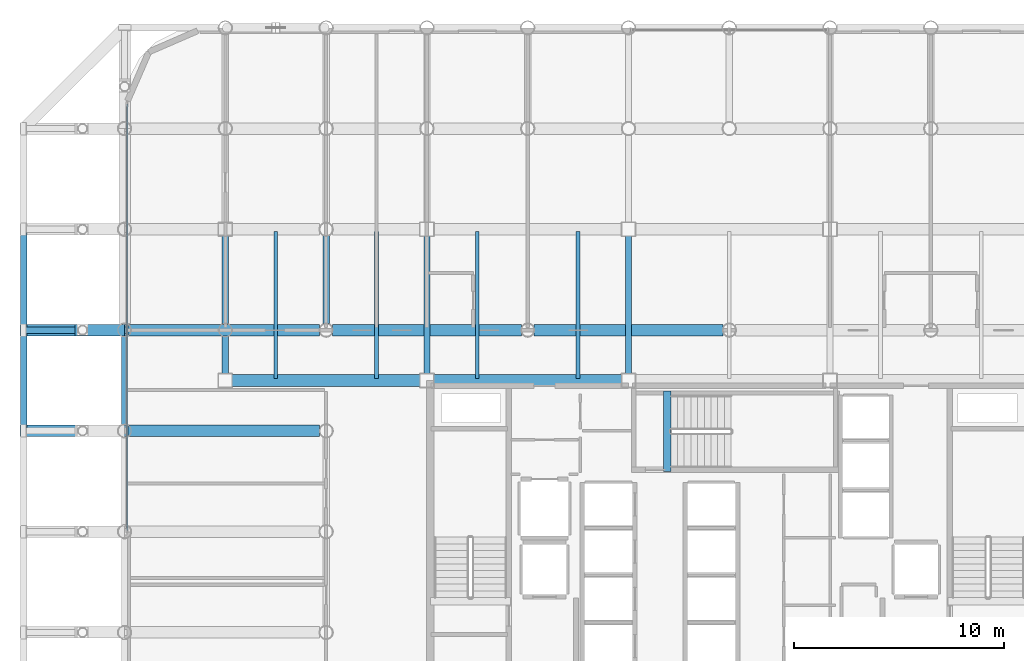
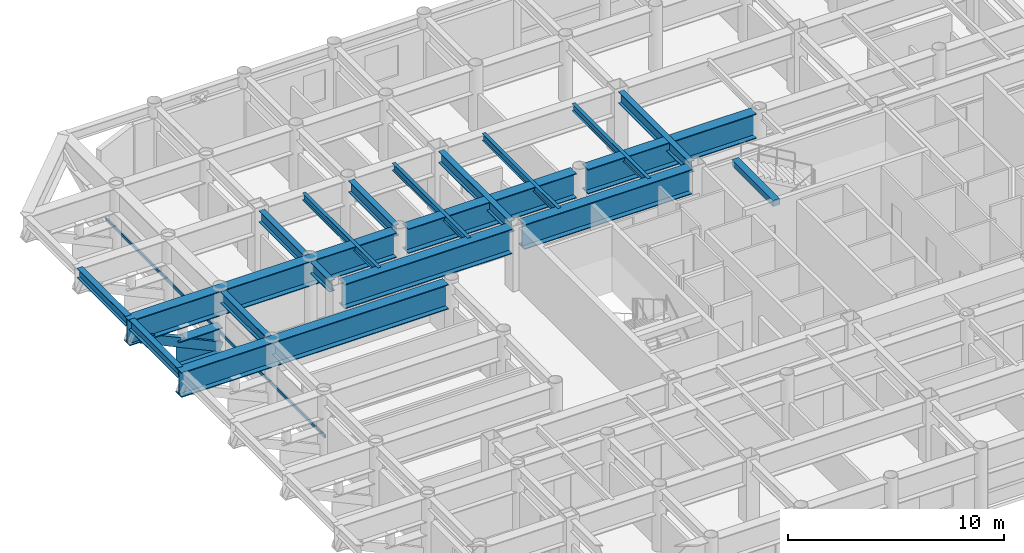
# One storey, part 6 of 23: 20 beams, 2 members, 1 element without a shape of its own.
"""IFC4 building model written with IfcOpenShell, lengths in metres."""

from ifc_helpers import new_model, si_unit, direction, frame, origin, origin_2d, place, context, subcontext, project, spatial, rectangle, hollow_rectangle, i_section, extrude, material, layer, layer_set, material_profile, profile_set, type_object, element, aggregate, save


model = new_model("IFC4")

# Units and contexts
model_context = context("Model", 3, precision=1e-05, world=origin(), true_north=direction((0.0, 1.0)))
body_context = subcontext(model_context, "Body", "Model", "MODEL_VIEW")
ifc_project = project(units=[si_unit("LENGTHUNIT", "METRE"), si_unit("AREAUNIT", "SQUARE_METRE"), si_unit("VOLUMEUNIT", "CUBIC_METRE"), si_unit("PLANEANGLEUNIT", "RADIAN"), si_unit("MASSUNIT", "GRAM", prefix="KILO")], contexts=[model_context])

# Site, building, storey
site_placement = place(None, origin())
site = spatial("IfcSite", under=ifc_project, at=site_placement, CompositionType="ELEMENT")
building_placement = place(site_placement, origin())
building = spatial("IfcBuilding", under=site, at=building_placement, Name="Kallvorn Hotel Tower", CompositionType="ELEMENT")
storey_placement = place(building_placement, frame((0.0, 0.0, 121.10009765625)))
storey = spatial("IfcBuildingStorey", under=building, at=storey_placement, Name="L29", CompositionType="ELEMENT", Elevation=121.10009765625)

# Beams
ifc_material_1 = material(Name="Structural steel S355JR", Category="steel")
ifc_material_profile_1 = material_profile(ifc_material_1, i_section(OverallWidth=0.300048828125, OverallDepth=0.550048828125, WebThickness=0.014892578125, FlangeThickness=0.029052734375, at=origin_2d()), Name="HE 550 B")
ifc_profile_set_1 = profile_set([ifc_material_profile_1], Name="Structural steel S355JR")
beam_type_1 = type_object("IfcBeamType", Name="BM_HE550B", PredefinedType="SPANDREL", material=ifc_profile_set_1)
for number, where, z_axis, x_axis, name in (
    (1, (-33.60009765625, 4.949951171875, 3.244873046875), (0.0, 1.0, 0.0), (-1.0, 0.0, 0.0), "L30 Perimeter Spandrel 187"),
    (2, (-33.60009765625, 9.75, 3.244873046875), (0.0, 1.0, 0.0), (-1.0, 0.0, 0.0), "L30 Perimeter Spandrel 188"),
):
    element("IfcBeam", number, at=place(storey_placement, frame(where, z_axis=z_axis, x_axis=x_axis)), inside=storey, type_object=beam_type_1, Name=name, PredefinedType="SPANDREL", context=body_context, shape_type="SweptSolid", body=[
        extrude(i_section(OverallWidth=0.300048828125, OverallDepth=0.550048828125, WebThickness=0.014892578125, FlangeThickness=0.029052734375, at=origin_2d()), origin(), (0.0, 0.0, 1.0), 4.5),
    ])
ifc_material_2 = material(Name="Structural steel S355JR", Category="steel")
ifc_material_profile_2 = material_profile(ifc_material_2, i_section(OverallWidth=0.300048828125, OverallDepth=0.64990234375, WebThickness=0.01611328125, FlangeThickness=0.031005859375, at=origin_2d()), Name="HE 650 B")
ifc_profile_set_2 = profile_set([ifc_material_profile_2], Name="Structural steel S355JR")
beam_type_2 = type_object("IfcBeamType", Name="BM_HE650B", PredefinedType="BEAM", material=ifc_profile_set_2)
beam_1_placement = place(storey_placement, frame((-28.800048828125, 5.10498046875, 3.19482421875), z_axis=(0.0, 1.0, 0.0), x_axis=(-1.0, 0.0, 0.0)))
element("IfcBeam", 3, at=beam_1_placement, inside=storey, type_object=beam_type_2, Name="L30 Primary Y-Girder 87", PredefinedType="BEAM", context=body_context, shape_type="SweptSolid", body=[
    extrude(i_section(OverallWidth=0.300048828125, OverallDepth=0.64990234375, WebThickness=0.01611328125, FlangeThickness=0.031005859375, at=origin_2d()), origin(), (0.0, 0.0, 1.0), 4.18994140625),
])
beam_2_placement = place(storey_placement, frame((-24.0, 7.52490234375, 3.19482421875), z_axis=(0.0, 1.0, 0.0), x_axis=(-1.0, 0.0, 0.0)))
element("IfcBeam", 4, at=beam_2_placement, inside=storey, type_object=beam_type_2, Name="L30 Primary Y-Girder 93", PredefinedType="BEAM", context=body_context, shape_type="SweptSolid", body=[
    extrude(i_section(OverallWidth=0.300048828125, OverallDepth=0.64990234375, WebThickness=0.01611328125, FlangeThickness=0.031005859375, at=origin_2d()), origin(), (0.0, 0.0, 1.0), 1.77001953125),
])
beam_3_placement = place(storey_placement, frame((-24.0, 9.905029296875, 3.19482421875), z_axis=(0.0, 1.0, 0.0), x_axis=(-1.0, 0.0, 0.0)))
element("IfcBeam", 5, at=beam_3_placement, inside=storey, type_object=beam_type_2, Name="L30 Primary Y-Girder 94", PredefinedType="BEAM", context=body_context, shape_type="SweptSolid", body=[
    extrude(i_section(OverallWidth=0.300048828125, OverallDepth=0.64990234375, WebThickness=0.01611328125, FlangeThickness=0.031005859375, at=origin_2d()), origin(), (0.0, 0.0, 1.0), 4.169921875),
])
beam_4_placement = place(storey_placement, frame((-19.199951171875, 9.905029296875, 3.19482421875), z_axis=(0.0, 1.0, 0.0), x_axis=(-1.0, 0.0, 0.0)))
element("IfcBeam", 6, at=beam_4_placement, inside=storey, type_object=beam_type_2, Name="L30 Primary Y-Girder 103", PredefinedType="BEAM", context=body_context, shape_type="SweptSolid", body=[
    extrude(i_section(OverallWidth=0.300048828125, OverallDepth=0.64990234375, WebThickness=0.01611328125, FlangeThickness=0.031005859375, at=origin_2d()), origin(), (0.0, 0.0, 1.0), 4.18994140625),
])
for number, where, z_axis, x_axis, name in (
    (7, (-14.39990234375, 7.52490234375, 3.19482421875), (0.0, 1.0, 0.0), (-1.0, 0.0, 0.0), "L30 Primary Y-Girder 108"),
    (8, (-4.800048828125, 7.52490234375, 3.19482421875), (0.0, 1.0, 0.0), (-1.0, 0.0, 0.0), "L30 Primary Y-Girder 116"),
):
    element("IfcBeam", number, at=place(storey_placement, frame(where, z_axis=z_axis, x_axis=x_axis)), inside=storey, type_object=beam_type_2, Name=name, PredefinedType="BEAM", context=body_context, shape_type="SweptSolid", body=[
        extrude(i_section(OverallWidth=0.300048828125, OverallDepth=0.64990234375, WebThickness=0.01611328125, FlangeThickness=0.031005859375, at=origin_2d()), origin(), (0.0, 0.0, 1.0), 6.550048828125),
    ])
ifc_material_3 = material(Name="Structural steel S355JR", Category="steel")
ifc_material_profile_3 = material_profile(ifc_material_3, i_section(OverallWidth=0.179931640625, OverallDepth=0.39990234375, WebThickness=0.008544921875, FlangeThickness=0.013427734375, at=origin_2d()), Name="IPE 400")
ifc_profile_set_3 = profile_set([ifc_material_profile_3], Name="Structural steel S355JR")
beam_type_3 = type_object("IfcBeamType", Name="BM_IPE400", PredefinedType="JOIST", material=ifc_profile_set_3)
for number, where, z_axis, x_axis, name in (
    (9, (-21.60009765625, 7.300048828125, 3.31982421875), (0.0, 1.0, 0.0), (-1.0, 0.0, 0.0), "L30 Secondary Composite Joist 202"),
    (10, (-16.800048828125, 7.300048828125, 3.31982421875), (0.0, 1.0, 0.0), (-1.0, 0.0, 0.0), "L30 Secondary Composite Joist 204"),
    (11, (-12.0, 7.300048828125, 3.31982421875), (0.0, 1.0, 0.0), (-1.0, 0.0, 0.0), "L30 Secondary Composite Joist 206"),
    (12, (-7.199951171875, 7.300048828125, 3.31982421875), (0.0, 1.0, 0.0), (-1.0, 0.0, 0.0), "L30 Secondary Composite Joist 208"),
):
    element("IfcBeam", number, at=place(storey_placement, frame(where, z_axis=z_axis, x_axis=x_axis)), inside=storey, type_object=beam_type_3, Name=name, PredefinedType="JOIST", context=body_context, shape_type="SweptSolid", body=[
        extrude(i_section(OverallWidth=0.179931640625, OverallDepth=0.39990234375, WebThickness=0.008544921875, FlangeThickness=0.013427734375, at=origin_2d()), origin(), (0.0, 0.0, 1.0), 7.0),
    ])
ifc_material_4 = material(Name="Structural steel S355JR", Category="steel")
ifc_material_profile_4 = material_profile(ifc_material_4, i_section(OverallWidth=0.550048828125, OverallDepth=1.39990234375, WebThickness=0.02490234375, FlangeThickness=0.044921875, at=origin_2d()), Name="PG 1400x550x25x45")
ifc_profile_set_4 = profile_set([ifc_material_profile_4], Name="Structural steel S355JR")
beam_type_4 = type_object("IfcBeamType", Name="BM_PG_1400", PredefinedType="BEAM", material=ifc_profile_set_4)
for number, where, z_axis, x_axis, name in (
    (13, (-19.52001953125, 4.800048828125, 2.81982421875), (-1.0, 0.0, 0.0), (0.0, -1.0, 0.0), "L30 Continuous Cantilever Transfer Girder 05"),
    (14, (-19.52001953125, 9.60009765625, 2.81982421875), (-1.0, 0.0, 0.0), (0.0, -1.0, 0.0), "L30 Continuous Cantilever Transfer Girder 06"),
):
    element("IfcBeam", number, at=place(storey_placement, frame(where, z_axis=z_axis, x_axis=x_axis)), inside=storey, type_object=beam_type_4, Name=name, PredefinedType="BEAM", context=body_context, shape_type="SweptSolid", body=[
        extrude(i_section(OverallWidth=0.550048828125, OverallDepth=1.39990234375, WebThickness=0.02490234375, FlangeThickness=0.044921875, at=origin_2d()), origin(), (0.0, 0.0, 1.0), 14.260009765625),
    ])
beam_5_placement = place(storey_placement, frame((-28.800048828125, 9.60009765625, 0.719970703125), z_axis=(-1.0, 0.0, 0.0), x_axis=(0.0, -1.0, 0.0)))
element("IfcBeam", 15, at=beam_5_placement, inside=storey, type_object=beam_type_4, Name="L30 Cantilever Haunch Corbel 06", PredefinedType="BEAM", context=body_context, shape_type="SweptSolid", body=[
    extrude(i_section(OverallWidth=0.550048828125, OverallDepth=1.39990234375, WebThickness=0.02490234375, FlangeThickness=0.044921875, at=origin_2d()), origin(), (0.0, 0.0, 1.0), 2.349853515625),
])
for number, where, z_axis, x_axis, name in (
    (16, (-23.675048828125, 7.199951171875, 2.81982421875), (1.0, 0.0, 0.0), (0.0, 1.0, 0.0), "L30 Primary X-Girder 45"),
    (17, (-14.074951171875, 7.199951171875, 2.81982421875), (1.0, 0.0, 0.0), (0.0, 1.0, 0.0), "L30 Primary X-Girder 46"),
):
    element("IfcBeam", number, at=place(storey_placement, frame(where, z_axis=z_axis, x_axis=x_axis)), inside=storey, type_object=beam_type_4, Name=name, PredefinedType="BEAM", context=body_context, shape_type="SweptSolid", body=[
        extrude(i_section(OverallWidth=0.550048828125, OverallDepth=1.39990234375, WebThickness=0.02490234375, FlangeThickness=0.044921875, at=origin_2d()), origin(), (0.0, 0.0, 1.0), 8.949951171875),
    ])
for number, where, z_axis, x_axis, name in (
    (18, (-18.89501953125, 9.60009765625, 2.81982421875), (1.0, 0.0, 0.0), (0.0, 1.0, 0.0), "L30 Primary X-Girder 52"),
    (19, (-9.294921875, 9.60009765625, 2.81982421875), (1.0, 0.0, 0.0), (0.0, 1.0, 0.0), "L30 Primary X-Girder 53"),
):
    element("IfcBeam", number, at=place(storey_placement, frame(where, z_axis=z_axis, x_axis=x_axis)), inside=storey, type_object=beam_type_4, Name=name, PredefinedType="BEAM", context=body_context, shape_type="SweptSolid", body=[
        extrude(i_section(OverallWidth=0.550048828125, OverallDepth=1.39990234375, WebThickness=0.02490234375, FlangeThickness=0.044921875, at=origin_2d()), origin(), (0.0, 0.0, 1.0), 8.989990234375),
    ])
ifc_material_5 = material(Name="Concrete C50/60", Category="concrete")
ifc_material_profile_5 = material_profile(ifc_material_5, rectangle(XDim=0.360107421875, YDim=0.340087890625, at=origin_2d()), Name="RC 360x340")
ifc_profile_set_5 = profile_set([ifc_material_profile_5], Name="Concrete C50/60")
beam_type_5 = type_object("IfcBeamType", Name="BM_RC_400x360", PredefinedType="BEAM", material=ifc_profile_set_5)
beam_6_placement = place(storey_placement, frame((-2.9599609375, 2.8701171875, 3.349853515625), z_axis=(0.0, 1.0, 0.0), x_axis=(-1.0, 0.0, 0.0)))
element("IfcBeam", 20, at=beam_6_placement, inside=storey, type_object=beam_type_5, Name="L30 Stair ST3 Arrival Trimmer Beam", PredefinedType="BEAM", context=body_context, shape_type="SweptSolid", body=[
    extrude(rectangle(XDim=0.360107421875, YDim=0.340087890625, at=origin_2d()), origin(), (0.0, 0.0, 1.0), 3.81982421875),
])

# Curtain wall, member
ifc_material_6 = material(Name="Thermally broken black-anodised aluminium AA 6063-T6", Category="aluminium")
ifc_layer = layer(ifc_material_6, 0.199951171875)
ifc_layer_set = layer_set([ifc_layer], Name="CW_SYS_3_HOTEL_LOW")
curtain_wall_type = type_object("IfcCurtainWallType", Name="CW_SYS_3_HOTEL_LOW", PredefinedType="USERDEFINED", material=ifc_layer_set)
curtain_wall_placement = place(storey_placement, origin())
curtain_wall = element("IfcCurtainWall", 21, at=curtain_wall_placement, inside=storey, type_object=curtain_wall_type, Name="L29 Dark-Glass Curtain Wall CW-L29-WN", ObjectType="UNITISED CURTAIN WALL", PredefinedType="USERDEFINED")
ifc_material_7 = material(Name="Thermally broken black-anodised aluminium AA 6063-T6", Category="aluminium")
ifc_material_profile_6 = material_profile(ifc_material_7, hollow_rectangle(XDim=0.070068359375, YDim=0.179931640625, WallThickness=0.00390625, at=origin_2d()), Name="TRN 180x70")
ifc_profile_set_6 = profile_set([ifc_material_profile_6], Name="Thermally broken black-anodised aluminium AA 6063-T6")
member_type_1 = type_object("IfcMemberType", Name="CW_TRANSOM_180x70", PredefinedType="USERDEFINED", material=ifc_profile_set_6)
member_1_placement = place(storey_placement, frame((-28.679931640625, 0.06005859375, 0.849853515625), z_axis=(0.0, 1.0, 0.0), x_axis=(-1.0, 0.0, 0.0)))
member_1 = element("IfcMember", 22, at=member_1_placement, type_object=member_type_1, Name="CW-L29-WN Transom 00M", ObjectType="TRANSOM", PredefinedType="USERDEFINED", context=body_context, shape_type="SweptSolid", body=[
    extrude(hollow_rectangle(XDim=0.070068359375, YDim=0.179931640625, WallThickness=0.00390625, at=origin_2d()), origin(), (0.0, 0.0, 1.0), 20.300048828125),
])
aggregate(curtain_wall, [member_1])

# Member
ifc_material_8 = material(Name="Structural steel S355J2H", Category="steel")
ifc_material_profile_7 = material_profile(ifc_material_8, hollow_rectangle(XDim=0.300048828125, YDim=0.5, WallThickness=0.02490234375, at=origin_2d()), Name="RHS 500x300x25")
ifc_profile_set_7 = profile_set([ifc_material_profile_7], Name="Structural steel S355J2H")
member_type_2 = type_object("IfcMemberType", Name="MBR_OUTRIGGER_RHS500", PredefinedType="BRACE", material=ifc_profile_set_7)
member_2_placement = place(storey_placement, frame((-28.800048828125, 9.60009765625, 0.25), z_axis=(-0.907630778312, 0.0, 0.419769425115), x_axis=(0.0, -1.0, 0.0)))
element("IfcMember", 23, at=member_2_placement, inside=storey, type_object=member_type_2, Name="L30 Exoskeleton Cantilever Raking Strut 06", PredefinedType="BRACE", context=body_context, shape_type="SweptSolid", body=[
    extrude(hollow_rectangle(XDim=0.300048828125, YDim=0.5, WallThickness=0.02490234375, at=origin_2d()), origin(), (0.0, 0.0, 1.0), 5.28857421875),
])

save(model, "model.ifc")
